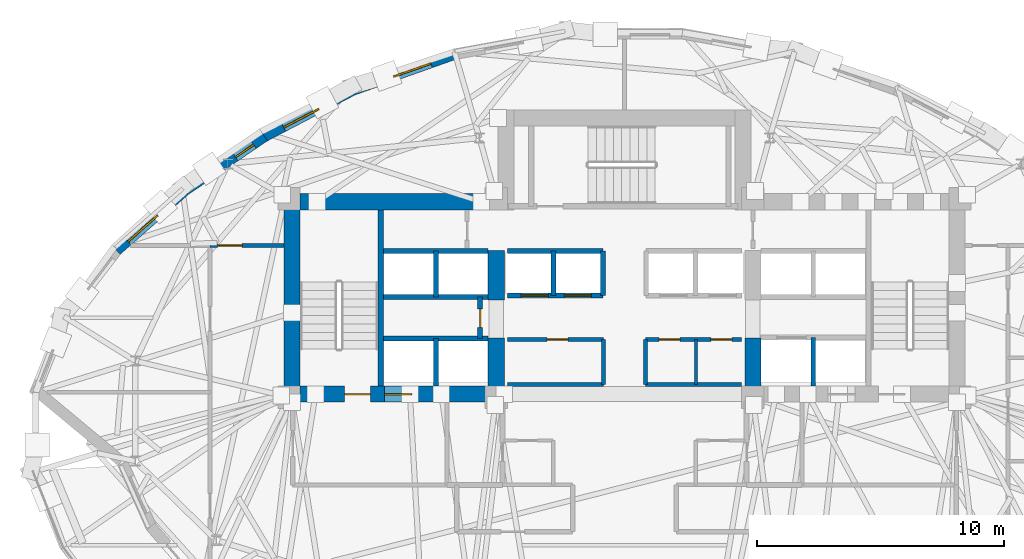
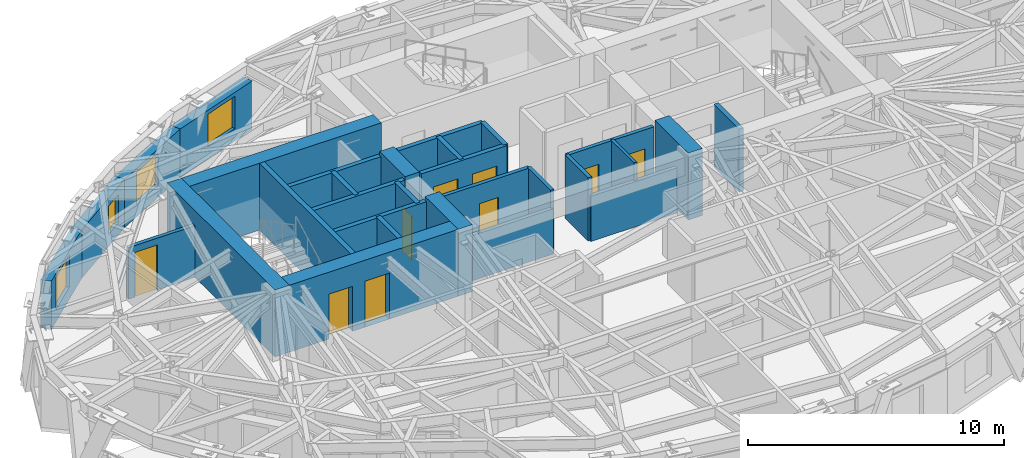
# One storey, part 8 of 15: 30 walls, 9 doors, 4 windows, 13 openings.
"""IFC4 building model written with IfcOpenShell, lengths in metres."""

import ifcopenshell
import ifcopenshell.guid

model = None  # the IFC model being written
_history = None  # IfcOwnerHistory: only IFC2X3 demands one
_inside = {}  # id of a spatial element -> (the spatial element, [elements in it])
_under = {}  # id of a project, library or spatial element -> (it, [spatial elements below it])
_declared = {}  # id of a project -> (the project, [libraries it declares])
_typed = {}  # id of a type object -> (the type object, [elements of that type])
_made_of = {}  # id of a material, layer set ... -> (it, [elements and type objects made of it])


def new_model(schema):
    """Start an empty IFC model of exactly this schema.

    Asked for "IFC4X3", IfcOpenShell would pick the latest addendum, in which some entities
    have other attributes; the version numbers below select the first issue.
    IFC2X3 requires an IfcOwnerHistory on every rooted entity: one is made here for all.
    """
    global model, _history
    if schema == "IFC4X3":
        model = ifcopenshell.file(schema_version=(4, 3, 0, 0))
    else:
        model = ifcopenshell.file(schema=schema)
    _inside.clear()
    _under.clear()
    _declared.clear()
    _typed.clear()
    _made_of.clear()
    _history = None
    if model.schema == "IFC2X3":
        org = make("IfcOrganization", Name="unknown")
        user = make(
            "IfcPersonAndOrganization",
            ThePerson=make("IfcPerson", FamilyName="unknown"),
            TheOrganization=org,
        )
        app = make(
            "IfcApplication",
            ApplicationDeveloper=org,
            Version="unknown",
            ApplicationFullName="unknown",
            ApplicationIdentifier="unknown",
        )
        _history = make(
            "IfcOwnerHistory",
            OwningUser=user,
            OwningApplication=app,
            ChangeAction="ADDED",
            CreationDate=0,
        )
    return model


def make(cls, **values):
    """One entity of the class cls with the attributes given. An attribute that is None is left unset."""
    return model.create_entity(
        cls, **{name: value for name, value in values.items() if value is not None}
    )


def rooted(cls, **values):
    """An entity with a GlobalId (a new one), such as an element, a storey or a relation."""
    return make(cls, GlobalId=ifcopenshell.guid.new(), OwnerHistory=_history, **values)


def si_unit(unit_type, name, prefix=None):
    """IfcSIUnit, for example si_unit("LENGTHUNIT", "METRE", prefix="MILLI")."""
    return make("IfcSIUnit", UnitType=unit_type, Prefix=prefix, Name=name)


def assignment(units):
    """IfcUnitAssignment: the units of a project."""
    return None if units is None else make("IfcUnitAssignment", Units=units)


def point(xyz):
    """IfcCartesianPoint."""
    return None if xyz is None else make("IfcCartesianPoint", Coordinates=xyz)


def direction(xyz):
    """IfcDirection."""
    return None if xyz is None else make("IfcDirection", DirectionRatios=xyz)


def frame(location, z_axis=None, x_axis=None):
    """IfcAxis2Placement3D, a coordinate frame: its origin and axes. An axis left out is left unset."""
    return make(
        "IfcAxis2Placement3D",
        Location=point(location),
        Axis=direction(z_axis),
        RefDirection=direction(x_axis),
    )


def frame_2d(location, x_axis=None):
    """IfcAxis2Placement2D, a coordinate frame in the plane: its origin and x axis."""
    return make(
        "IfcAxis2Placement2D", Location=point(location), RefDirection=direction(x_axis)
    )


def origin():
    """The frame at (0, 0, 0) with its axes left unset."""
    return frame((0.0, 0.0, 0.0))


def place(relative_to, where):
    """IfcLocalPlacement: puts the frame where relative to a parent placement (None: the world)."""
    return make(
        "IfcLocalPlacement", PlacementRelTo=relative_to, RelativePlacement=where
    )


def context(
    kind, dimensions, precision=None, world=None, true_north=None, identifier=None
):
    """IfcGeometricRepresentationContext, for example the 3D "Model" context."""
    return make(
        "IfcGeometricRepresentationContext",
        ContextIdentifier=identifier,
        ContextType=kind,
        CoordinateSpaceDimension=dimensions,
        Precision=precision,
        WorldCoordinateSystem=world,
        TrueNorth=true_north,
    )


def subcontext(parent, identifier, kind, view, scale=None):
    """IfcGeometricRepresentationSubContext, for example "Body" below "Model"."""
    return make(
        "IfcGeometricRepresentationSubContext",
        ContextIdentifier=identifier,
        ContextType=kind,
        ParentContext=parent,
        TargetScale=scale,
        TargetView=view,
    )


def project(units=None, contexts=None):
    """IfcProject with its units and contexts."""
    return rooted(
        "IfcProject",
        Name="project",
        RepresentationContexts=contexts,
        UnitsInContext=assignment(units),
    )


def spatial(cls, under=None, at=None, **own):
    """A site, building, storey or space (cls), placed at a placement, below another one or the project."""
    s = rooted(cls, ObjectPlacement=at, **own)
    if under is not None:
        _under.setdefault(under.id(), (under, []))[1].append(s)
    return s


def profile(cls, at=None, kind="AREA", **sizes):
    """A parametric profile (cls). Its sizes go by their IFC names, for example OverallWidth=200.0."""
    return make(cls, ProfileType=kind, Position=at, **sizes)


def rectangle(**sizes):
    """IfcRectangleProfileDef."""
    return profile("IfcRectangleProfileDef", **sizes)


def extrude(swept, where, along, depth):
    """IfcExtrudedAreaSolid: the profile swept, set in the frame where, extruded along a direction by depth."""
    return make(
        "IfcExtrudedAreaSolid",
        SweptArea=swept,
        Position=where,
        ExtrudedDirection=direction(along),
        Depth=depth,
    )


def shape(context_of_items, identifier, shape_type, items):
    """IfcShapeRepresentation: the items that make up one representation, for example the "Body"."""
    return make(
        "IfcShapeRepresentation",
        ContextOfItems=context_of_items,
        RepresentationIdentifier=identifier,
        RepresentationType=shape_type,
        Items=items,
    )


def material(Name=None, Category=None):
    """IfcMaterial."""
    return make("IfcMaterial", Name=Name, Category=Category)


def layer(
    of_material, thickness, ventilated=None, Name=None, Category=None, Priority=None
):
    """IfcMaterialLayer: one layer of a wall or slab, of a material (None: an air gap)."""
    return make(
        "IfcMaterialLayer",
        Material=of_material,
        LayerThickness=thickness,
        IsVentilated=ventilated,
        Name=Name,
        Category=Category,
        Priority=Priority,
    )


def layer_set(layers, Name=None):
    """IfcMaterialLayerSet."""
    return make("IfcMaterialLayerSet", MaterialLayers=layers, LayerSetName=Name)


def made_of(thing, what):
    """Note that an element or type object is made of a material, layer set ...; save() writes the relation."""
    if what is not None:
        _made_of.setdefault(what.id(), (what, []))[1].append(thing)
    return thing


def type_object(cls, material=None, **own):
    """A type object (cls), such as IfcWallType, which elements share."""
    return made_of(rooted(cls, **own), material)


def element(
    cls,
    number,
    at=None,
    inside=None,
    cuts=None,
    type_object=None,
    material=None,
    context=None,
    identifier="Body",
    shape_type=None,
    held_by="IfcProductDefinitionShape",
    body=None,
    shapes=None,
    **own,
):
    """One element of the class cls, such as IfcWall. Its Tag is "e" and its number.

    at: its placement. inside: the storey or other place that contains it. cuts: it is an
    opening in that element (IfcRelVoidsElement). A single representation is given by context,
    identifier, shape_type and body (its items); several are given by shapes. held_by: the class
    of the entity that holds the representations. save() writes the other relations.
    """
    e = rooted(cls, Tag="e%d" % number, ObjectPlacement=at, **own)
    if body is not None:
        shapes = [shape(context, identifier, shape_type, body)]
    if shapes is not None:
        e.Representation = make(held_by, Representations=shapes)
    if inside is not None:
        _inside.setdefault(inside.id(), (inside, []))[1].append(e)
    if cuts is not None:
        rooted(
            "IfcRelVoidsElement", RelatingBuildingElement=cuts, RelatedOpeningElement=e
        )
    if type_object is not None:
        _typed.setdefault(type_object.id(), (type_object, []))[1].append(e)
    return made_of(e, material)


def fill(opening, filler):
    """IfcRelFillsElement: the door or window that sits in an opening."""
    return rooted(
        "IfcRelFillsElement",
        RelatingOpeningElement=opening,
        RelatedBuildingElement=filler,
    )


def aggregate(whole, parts):
    """IfcRelAggregates: a whole, such as a stair, and the parts it consists of."""
    return rooted("IfcRelAggregates", RelatingObject=whole, RelatedObjects=parts)


def save(model, path):
    """Write the relations noted so far, then the file.

    IfcRelAggregates (storeys below a building ...), IfcRelContainedInSpatialStructure (elements
    in a storey), IfcRelDefinesByType, IfcRelAssociatesMaterial and IfcRelDeclares: one each for
    every whole, place, type object, material and project.
    """
    for whole, parts in _under.values():
        aggregate(whole, parts)
    for where, things in _inside.values():
        rooted(
            "IfcRelContainedInSpatialStructure",
            RelatedElements=things,
            RelatingStructure=where,
        )
    for kind, things in _typed.values():
        rooted("IfcRelDefinesByType", RelatedObjects=things, RelatingType=kind)
    for what, things in _made_of.values():
        rooted("IfcRelAssociatesMaterial", RelatedObjects=things, RelatingMaterial=what)
    for by, libraries in _declared.values():
        rooted("IfcRelDeclares", RelatingContext=by, RelatedDefinitions=libraries)
    model.write(path)


model = new_model("IFC4")

# Units and contexts
model_context = context("Model", 3, precision=1e-05, world=origin(), true_north=direction((0.0, 1.0)))
body_context = subcontext(model_context, "Body", "Model", "MODEL_VIEW")
ifc_project = project(units=[si_unit("LENGTHUNIT", "METRE"), si_unit("AREAUNIT", "SQUARE_METRE"), si_unit("VOLUMEUNIT", "CUBIC_METRE"), si_unit("PLANEANGLEUNIT", "RADIAN"), si_unit("MASSUNIT", "GRAM", prefix="KILO")], contexts=[model_context])

# Site, building, storey
site_placement = place(None, origin())
site = spatial("IfcSite", under=ifc_project, at=site_placement, CompositionType="ELEMENT")
building_placement = place(site_placement, origin())
building = spatial("IfcBuilding", under=site, at=building_placement, Name="Keldmark Tower", CompositionType="ELEMENT")
storey_placement = place(building_placement, frame((0.0, 0.0, 195.0)))
storey = spatial("IfcBuildingStorey", under=building, at=storey_placement, Name="L54", CompositionType="ELEMENT", Elevation=195.0)

# Walls
ifc_material_1 = material(Name="Acoustic Gypsum Board Interior Partition", Category="gypsum")
ifc_layer_1 = layer(ifc_material_1, 0.1298828125)
ifc_layer_set_1 = layer_set([ifc_layer_1], Name="Acoustic Gypsum Board Interior Partition")
wall_type_1 = type_object("IfcWallType", Name="Interior Partition 130 mm", PredefinedType="PARTITIONING", material=ifc_layer_set_1)
wall_1_placement = place(storey_placement, frame((2.89990234375, 1.919921875, 0.0), z_axis=(0.0, 0.0, 1.0), x_axis=(0.0, 1.0, 0.0)))
element("IfcWall", 1, at=wall_1_placement, inside=storey, type_object=wall_type_1, Name="L54 Interior Partition 130 mm REC-LE-M", PredefinedType="PARTITIONING", context=body_context, shape_type="SweptSolid", body=[
    extrude(rectangle(XDim=1.820068359375, YDim=0.1298828125, at=frame_2d((0.91015625, 0.0))), origin(), (0.0, 0.0, 1.0), 3.02001953125),
])
ifc_material_2 = material(Name="Type X Fire-Rated Gypsum Partition Assembly", Category="gypsum")
ifc_layer_2 = layer(ifc_material_2, 0.1650390625)
ifc_layer_set_2 = layer_set([ifc_layer_2], Name="Type X Fire-Rated Gypsum Partition Assembly")
wall_type_2 = type_object("IfcWallType", Name="Rated Partition 165 mm", PredefinedType="PARTITIONING", material=ifc_layer_set_2)
wall_2_placement = place(storey_placement, frame((-4.739990234375, 1.919921875, 0.0), z_axis=(0.0, 0.0, 1.0), x_axis=(1.0, 0.0, 0.0)))
element("IfcWall", 2, at=wall_2_placement, inside=storey, type_object=wall_type_2, Name="L54 Rated Partition 165 mm REC-LW-S", PredefinedType="PARTITIONING", context=body_context, shape_type="SweptSolid", body=[
    extrude(rectangle(XDim=3.889892578125, YDim=0.1650390625, at=frame_2d((1.94482421875, 0.0))), origin(), (0.0, 0.0, 1.0), 2.159912109375),
])

# Wall, opening, door
wall_3_placement = place(storey_placement, frame((-4.739990234375, 3.739990234375, 0.0), z_axis=(0.0, 0.0, 1.0), x_axis=(1.0, 0.0, 0.0)))
wall_3 = element("IfcWall", 3, at=wall_3_placement, inside=storey, type_object=wall_type_2, Name="L54 Rated Partition 165 mm REC-LW-N", PredefinedType="PARTITIONING", context=body_context, shape_type="SweptSolid", body=[
    extrude(rectangle(XDim=3.889892578125, YDim=0.1650390625, at=frame_2d((1.94482421875, 0.0))), origin(), (0.0, 0.0, 1.0), 3.02001953125),
])
opening_1_placement = place(wall_3_placement, frame((1.60009765625, 0.0, 0.0)))
opening_1 = element("IfcOpeningElement", 4, at=opening_1_placement, cuts=wall_3, Name="Opening D-SV085", PredefinedType="OPENING", context=body_context, shape_type="SweptSolid", body=[
    extrude(rectangle(XDim=0.85009765625, YDim=2.10009765625, at=frame_2d((0.425048828125, 1.050048828125))), frame((0.0, 0.092529296875, 0.0), z_axis=(0.0, -1.0, 0.0), x_axis=(1.0, 0.0, 0.0)), (0.0, 0.0, 1.0), 0.18505859375),
])
ifc_material_3 = material(Name="Painted Hollow Metal Door Assembly", Category="metal")
door_type_1 = type_object("IfcDoorType", Name="Service Door 850x2100", OperationType="NOTDEFINED", PredefinedType="DOOR", material=ifc_material_3)
door_1_placement = place(opening_1_placement, origin())
door_1 = element("IfcDoor", 5, at=door_1_placement, inside=storey, type_object=door_type_1, Name="L54 Service Door 850x2100 D-RECLW1-L54", OperationType="SINGLE_SWING_LEFT", OverallHeight=2.10009765625, OverallWidth=0.85009765625, PredefinedType="DOOR", context=body_context, shape_type="SweptSolid", body=[
    extrude(rectangle(XDim=0.85009765625, YDim=2.10009765625, at=frame_2d((0.425048828125, 1.050048828125))), frame((0.0, 0.02490234375, 0.0), z_axis=(0.0, -1.0, 0.0), x_axis=(1.0, 0.0, 0.0)), (0.0, 0.0, 1.0), 0.050048828125),
])
fill(opening_1, door_1)

# Walls
wall_4_placement = place(storey_placement, frame((-0.85009765625, 1.919921875, 0.0), z_axis=(0.0, 0.0, 1.0), x_axis=(0.0, 1.0, 0.0)))
element("IfcWall", 6, at=wall_4_placement, inside=storey, type_object=wall_type_2, Name="L54 Rated Partition 165 mm REC-LW-E", PredefinedType="PARTITIONING", context=body_context, shape_type="SweptSolid", body=[
    extrude(rectangle(XDim=1.820068359375, YDim=0.1650390625, at=frame_2d((0.91015625, 0.0))), origin(), (0.0, 0.0, 1.0), 3.02001953125),
])
wall_5_placement = place(storey_placement, frame((0.85009765625, 1.919921875, 0.0), z_axis=(0.0, 0.0, 1.0), x_axis=(1.0, 0.0, 0.0)))
element("IfcWall", 7, at=wall_5_placement, inside=storey, type_object=wall_type_2, Name="L54 Rated Partition 165 mm REC-LE-S", PredefinedType="PARTITIONING", context=body_context, shape_type="SweptSolid", body=[
    extrude(rectangle(XDim=3.889892578125, YDim=0.1650390625, at=frame_2d((1.94482421875, 0.0))), origin(), (0.0, 0.0, 1.0), 2.159912109375),
])

# Wall, openings, doors
wall_6_placement = place(storey_placement, frame((0.85009765625, 3.739990234375, 0.0), z_axis=(0.0, 0.0, 1.0), x_axis=(1.0, 0.0, 0.0)))
wall_6 = element("IfcWall", 8, at=wall_6_placement, inside=storey, type_object=wall_type_2, Name="L54 Rated Partition 165 mm REC-LE-N", PredefinedType="PARTITIONING", context=body_context, shape_type="SweptSolid", body=[
    extrude(rectangle(XDim=3.889892578125, YDim=0.1650390625, at=frame_2d((1.94482421875, 0.0))), origin(), (0.0, 0.0, 1.0), 3.02001953125),
])
opening_2_placement = place(wall_6_placement, frame((0.550048828125, 0.0, 0.0)))
opening_2 = element("IfcOpeningElement", 9, at=opening_2_placement, cuts=wall_6, Name="Opening D-SV085", PredefinedType="OPENING", context=body_context, shape_type="SweptSolid", body=[
    extrude(rectangle(XDim=0.85009765625, YDim=2.10009765625, at=frame_2d((0.425048828125, 1.050048828125))), frame((0.0, 0.092529296875, 0.0), z_axis=(0.0, -1.0, 0.0), x_axis=(1.0, 0.0, 0.0)), (0.0, 0.0, 1.0), 0.18505859375),
])
opening_3_placement = place(wall_6_placement, frame((2.64990234375, 0.0, 0.0)))
opening_3 = element("IfcOpeningElement", 10, at=opening_3_placement, cuts=wall_6, Name="Opening D-SV085", PredefinedType="OPENING", context=body_context, shape_type="SweptSolid", body=[
    extrude(rectangle(XDim=0.85009765625, YDim=2.10009765625, at=frame_2d((0.425048828125, 1.050048828125))), frame((0.0, 0.092529296875, 0.0), z_axis=(0.0, -1.0, 0.0), x_axis=(1.0, 0.0, 0.0)), (0.0, 0.0, 1.0), 0.18505859375),
])
door_2_placement = place(opening_2_placement, origin())
door_2 = element("IfcDoor", 11, at=door_2_placement, inside=storey, type_object=door_type_1, Name="L54 Service Door 850x2100 D-RECLE1-L54", OperationType="SINGLE_SWING_LEFT", OverallHeight=2.10009765625, OverallWidth=0.85009765625, PredefinedType="DOOR", context=body_context, shape_type="SweptSolid", body=[
    extrude(rectangle(XDim=0.85009765625, YDim=2.10009765625, at=frame_2d((0.425048828125, 1.050048828125))), frame((0.0, 0.02490234375, 0.0), z_axis=(0.0, -1.0, 0.0), x_axis=(1.0, 0.0, 0.0)), (0.0, 0.0, 1.0), 0.050048828125),
])
fill(opening_2, door_2)
door_3_placement = place(opening_3_placement, origin())
door_3 = element("IfcDoor", 12, at=door_3_placement, inside=storey, type_object=door_type_1, Name="L54 Service Door 850x2100 D-RECLE2-L54", OperationType="SINGLE_SWING_RIGHT", OverallHeight=2.10009765625, OverallWidth=0.85009765625, PredefinedType="DOOR", context=body_context, shape_type="SweptSolid", body=[
    extrude(rectangle(XDim=0.85009765625, YDim=2.10009765625, at=frame_2d((0.425048828125, 1.050048828125))), frame((0.0, 0.02490234375, 0.0), z_axis=(0.0, -1.0, 0.0), x_axis=(1.0, 0.0, 0.0)), (0.0, 0.0, 1.0), 0.050048828125),
])
fill(opening_3, door_3)

# Wall
wall_7_placement = place(storey_placement, frame((0.85009765625, 1.919921875, 0.0), z_axis=(0.0, 0.0, 1.0), x_axis=(0.0, 1.0, 0.0)))
element("IfcWall", 13, at=wall_7_placement, inside=storey, type_object=wall_type_2, Name="L54 Rated Partition 165 mm REC-LE-W", PredefinedType="PARTITIONING", context=body_context, shape_type="SweptSolid", body=[
    extrude(rectangle(XDim=1.820068359375, YDim=0.1650390625, at=frame_2d((0.91015625, 0.0))), origin(), (0.0, 0.0, 1.0), 3.02001953125),
])

# Wall, opening, door
wall_8_placement = place(storey_placement, frame((-16.800048828125, 7.550048828125, 0.0), z_axis=(0.0, 0.0, 1.0), x_axis=(1.0, 0.0, 0.0)))
wall_8 = element("IfcWall", 14, at=wall_8_placement, inside=storey, type_object=wall_type_2, Name="L54 Rated Partition 165 mm HCOR-WN", PredefinedType="PARTITIONING", context=body_context, shape_type="SweptSolid", body=[
    extrude(rectangle(XDim=3.0, YDim=0.1650390625, at=frame_2d((1.5, 0.0))), origin(), (0.0, 0.0, 1.0), 2.472900390625),
])
opening_4_placement = place(wall_8_placement, frame((0.300048828125, 0.0, 0.0)))
opening_4 = element("IfcOpeningElement", 15, at=opening_4_placement, cuts=wall_8, Name="Opening D-FD100", PredefinedType="OPENING", context=body_context, shape_type="SweptSolid", body=[
    extrude(rectangle(XDim=1.0, YDim=2.14990234375, at=frame_2d((0.5, 1.074951171875))), frame((0.0, 0.092529296875, 0.0), z_axis=(0.0, -1.0, 0.0), x_axis=(1.0, 0.0, 0.0)), (0.0, 0.0, 1.0), 0.18505859375),
])
ifc_material_4 = material(Name="Hollow Metal Fire-Rated Corridor Door", Category="metal")
door_type_2 = type_object("IfcDoorType", Name="Fire Door 1000x2150", OperationType="NOTDEFINED", PredefinedType="DOOR", material=ifc_material_4)
door_4_placement = place(opening_4_placement, origin())
door_4 = element("IfcDoor", 16, at=door_4_placement, inside=storey, type_object=door_type_2, Name="L54 Fire Door 1000x2150 D-HNNW-L54", OperationType="SINGLE_SWING_LEFT", OverallHeight=2.14990234375, OverallWidth=1.0, PredefinedType="DOOR", context=body_context, shape_type="SweptSolid", body=[
    extrude(rectangle(XDim=1.0, YDim=2.14990234375, at=frame_2d((0.5, 1.074951171875))), frame((0.0, 0.02490234375, 0.0), z_axis=(0.0, -1.0, 0.0), x_axis=(1.0, 0.0, 0.0)), (0.0, 0.0, 1.0), 0.050048828125),
])
fill(opening_4, door_4)

# Walls
ifc_material_5 = material(Name="Fire-Resistant Type X Gypsum Shaftliner Coreboard", Category="gypsum")
ifc_layer_3 = layer(ifc_material_5, 0.199951171875)
ifc_layer_set_3 = layer_set([ifc_layer_3], Name="Fire-Resistant Type X Gypsum Shaftliner Coreboard")
wall_type_3 = type_object("IfcWallType", Name="Shaft Wall 200 mm", PredefinedType="SOLIDWALL", material=ifc_layer_set_3)
wall_9_placement = place(storey_placement, frame((-9.780029296875, 3.780029296875, 0.0), z_axis=(0.0, 0.0, 1.0), x_axis=(1.0, 0.0, 0.0)))
element("IfcWall", 17, at=wall_9_placement, inside=storey, type_object=wall_type_3, Name="L54 Shaft Wall 200 mm HW-W-S", PredefinedType="SOLIDWALL", context=body_context, shape_type="SweptSolid", body=[
    extrude(rectangle(XDim=4.255126953125, YDim=0.199951171875, at=frame_2d((2.12744140625, 0.0))), origin(), (0.0, 0.0, 1.0), 3.02001953125),
])
wall_10_placement = place(storey_placement, frame((-7.64990234375, 1.85009765625, 0.0), z_axis=(0.0, 0.0, 1.0), x_axis=(0.0, 1.0, 0.0)))
element("IfcWall", 18, at=wall_10_placement, inside=storey, type_object=wall_type_3, Name="L54 Shaft Wall 200 mm HW-W-M", PredefinedType="SOLIDWALL", context=body_context, shape_type="SweptSolid", body=[
    extrude(rectangle(XDim=1.929931640625, YDim=0.199951171875, at=frame_2d((0.96484375, 0.0))), origin(), (0.0, 0.0, 1.0), 3.02001953125),
])
for number, where, z_axis, x_axis, name in (
    (19, (-9.780029296875, 5.469970703125, 0.0), (0.0, 0.0, 1.0), (1.0, 0.0, 0.0), "L54 Shaft Wall 200 mm HW-W-N"),
    (20, (-9.780029296875, 7.330078125, 0.0), (0.0, 0.0, 1.0), (1.0, 0.0, 0.0), "L54 Shaft Wall 200 mm HW-W-TOP"),
):
    element("IfcWall", number, at=place(storey_placement, frame(where, z_axis=z_axis, x_axis=x_axis)), inside=storey, type_object=wall_type_3, Name=name, PredefinedType="SOLIDWALL", context=body_context, shape_type="SweptSolid", body=[
        extrude(rectangle(XDim=4.255126953125, YDim=0.199951171875, at=frame_2d((2.12744140625, 0.0))), origin(), (0.0, 0.0, 1.0), 3.02001953125),
    ])
wall_11_placement = place(storey_placement, frame((-7.64990234375, 5.469970703125, 0.0), z_axis=(0.0, 0.0, 1.0), x_axis=(0.0, 1.0, 0.0)))
element("IfcWall", 21, at=wall_11_placement, inside=storey, type_object=wall_type_3, Name="L54 Shaft Wall 200 mm HW-W-NM", PredefinedType="SOLIDWALL", context=body_context, shape_type="SweptSolid", body=[
    extrude(rectangle(XDim=1.860107421875, YDim=0.199951171875, at=frame_2d((0.93017578125, 0.0))), origin(), (0.0, 0.0, 1.0), 3.02001953125),
])

# Wall, opening, door
wall_12_placement = place(storey_placement, frame((-5.85009765625, 3.780029296875, 0.0), z_axis=(0.0, 0.0, 1.0), x_axis=(0.0, 1.0, 0.0)))
wall_12 = element("IfcWall", 22, at=wall_12_placement, inside=storey, type_object=wall_type_3, Name="L54 Shaft Wall 200 mm HW-W-CLOSE", PredefinedType="SOLIDWALL", context=body_context, shape_type="SweptSolid", body=[
    extrude(rectangle(XDim=1.68994140625, YDim=0.199951171875, at=frame_2d((0.844970703125, 0.0))), origin(), (0.0, 0.0, 1.0), 3.02001953125),
])
opening_5_placement = place(wall_12_placement, frame((0.449951171875, 0.0, 0.0)))
opening_5 = element("IfcOpeningElement", 23, at=opening_5_placement, cuts=wall_12, Name="Opening D-RS075", PredefinedType="OPENING", context=body_context, shape_type="SweptSolid", body=[
    extrude(rectangle(XDim=0.75, YDim=2.10009765625, at=frame_2d((0.375, 1.050048828125))), frame((0.0, 0.10986328125, 0.0), z_axis=(0.0, -1.0, 0.0), x_axis=(1.0, 0.0, 0.0)), (0.0, 0.0, 1.0), 0.219970703125),
])
ifc_material_6 = material(Name="Galvanized Fire-Rated Access Leaf", Category="metal")
door_type_3 = type_object("IfcDoorType", Name="Riser Access Door 750x2100", OperationType="NOTDEFINED", PredefinedType="DOOR", material=ifc_material_6)
door_5_placement = place(opening_5_placement, origin())
door_5 = element("IfcDoor", 24, at=door_5_placement, inside=storey, type_object=door_type_3, Name="L54 Riser Access Door 750x2100 D-RISHW-L54", OperationType="SINGLE_SWING_RIGHT", OverallHeight=2.10009765625, OverallWidth=0.75, PredefinedType="DOOR", context=body_context, shape_type="SweptSolid", body=[
    extrude(rectangle(XDim=0.75, YDim=2.10009765625, at=frame_2d((0.375, 1.050048828125))), frame((0.0, 0.02490234375, 0.0), z_axis=(0.0, -1.0, 0.0), x_axis=(1.0, 0.0, 0.0)), (0.0, 0.0, 1.0), 0.050048828125),
])
fill(opening_5, door_5)

# Wall
wall_13_placement = place(storey_placement, frame((7.64990234375, 1.85009765625, 0.0), z_axis=(0.0, 0.0, 1.0), x_axis=(0.0, 1.0, 0.0)))
element("IfcWall", 25, at=wall_13_placement, inside=storey, type_object=wall_type_3, Name="L54 Shaft Wall 200 mm HW-E-M", PredefinedType="SOLIDWALL", context=body_context, shape_type="SweptSolid", body=[
    extrude(rectangle(XDim=1.969970703125, YDim=0.199951171875, at=frame_2d((0.98486328125, 0.0))), origin(), (0.0, 0.0, 1.0), 3.02001953125),
])

# Wall, openings, doors
wall_14_placement = place(storey_placement, frame((-4.739990234375, 5.52001953125, 0.0), z_axis=(0.0, 0.0, 1.0), x_axis=(1.0, 0.0, 0.0)))
wall_14 = element("IfcWall", 26, at=wall_14_placement, inside=storey, type_object=wall_type_3, Name="L54 Shaft Wall 200 mm MID-S-W", PredefinedType="SOLIDWALL", context=body_context, shape_type="SweptSolid", body=[
    extrude(rectangle(XDim=3.860107421875, YDim=0.199951171875, at=frame_2d((1.93017578125, 0.0))), origin(), (0.0, 0.0, 1.0), 3.02001953125),
])
opening_6_placement = place(wall_14_placement, frame((0.550048828125, 0.0, 0.0)))
opening_6 = element("IfcOpeningElement", 27, at=opening_6_placement, cuts=wall_14, Name="Opening LD-110", PredefinedType="OPENING", context=body_context, shape_type="SweptSolid", body=[
    extrude(rectangle(XDim=1.10009765625, YDim=2.199951171875, at=frame_2d((0.550048828125, 1.10009765625))), frame((0.0, 0.10986328125, 0.0), z_axis=(0.0, -1.0, 0.0), x_axis=(1.0, 0.0, 0.0)), (0.0, 0.0, 1.0), 0.219970703125),
])
opening_7_placement = place(wall_14_placement, frame((2.300048828125, 0.0, 0.0)))
opening_7 = element("IfcOpeningElement", 28, at=opening_7_placement, cuts=wall_14, Name="Opening LD-110", PredefinedType="OPENING", context=body_context, shape_type="SweptSolid", body=[
    extrude(rectangle(XDim=1.10009765625, YDim=2.199951171875, at=frame_2d((0.550048828125, 1.10009765625))), frame((0.0, 0.10986328125, 0.0), z_axis=(0.0, -1.0, 0.0), x_axis=(1.0, 0.0, 0.0)), (0.0, 0.0, 1.0), 0.219970703125),
])
ifc_material_7 = material(Name="Brushed Bronze Hoistway Sliding Leaf", Category="metal")
door_type_4 = type_object("IfcDoorType", Name="Lift Landing Sliding Door 1100x2200", OperationType="SLIDING_TO_LEFT", PredefinedType="DOOR", material=ifc_material_7)
door_6_placement = place(opening_6_placement, origin())
door_6 = element("IfcDoor", 29, at=door_6_placement, inside=storey, type_object=door_type_4, Name="L54 Lift Landing Sliding Door 1100x2200 LD-EL-M1-L54", OperationType="SLIDING_TO_LEFT", OverallHeight=2.199951171875, OverallWidth=1.10009765625, PredefinedType="DOOR", context=body_context, shape_type="SweptSolid", body=[
    extrude(rectangle(XDim=1.10009765625, YDim=2.199951171875, at=frame_2d((0.550048828125, 1.10009765625))), frame((0.0, 0.02490234375, 0.0), z_axis=(0.0, -1.0, 0.0), x_axis=(1.0, 0.0, 0.0)), (0.0, 0.0, 1.0), 0.050048828125),
])
fill(opening_6, door_6)
door_7_placement = place(opening_7_placement, origin())
door_7 = element("IfcDoor", 30, at=door_7_placement, inside=storey, type_object=door_type_4, Name="L54 Lift Landing Sliding Door 1100x2200 LD-EL-M2-L54", OperationType="SLIDING_TO_LEFT", OverallHeight=2.199951171875, OverallWidth=1.10009765625, PredefinedType="DOOR", context=body_context, shape_type="SweptSolid", body=[
    extrude(rectangle(XDim=1.10009765625, YDim=2.199951171875, at=frame_2d((0.550048828125, 1.10009765625))), frame((0.0, 0.02490234375, 0.0), z_axis=(0.0, -1.0, 0.0), x_axis=(1.0, 0.0, 0.0)), (0.0, 0.0, 1.0), 0.050048828125),
])
fill(opening_7, door_7)

# Walls
wall_15_placement = place(storey_placement, frame((-4.739990234375, 7.330078125, 0.0), z_axis=(0.0, 0.0, 1.0), x_axis=(1.0, 0.0, 0.0)))
element("IfcWall", 31, at=wall_15_placement, inside=storey, type_object=wall_type_3, Name="L54 Shaft Wall 200 mm MID-N-W", PredefinedType="SOLIDWALL", context=body_context, shape_type="SweptSolid", body=[
    extrude(rectangle(XDim=3.860107421875, YDim=0.199951171875, at=frame_2d((1.93017578125, 0.0))), origin(), (0.0, 0.0, 1.0), 3.02001953125),
])
for number, where, z_axis, x_axis, name in (
    (32, (-2.8798828125, 5.52001953125, 0.0), (0.0, 0.0, 1.0), (0.0, 1.0, 0.0), "L54 Shaft Wall 200 mm MID-M-W"),
    (33, (-0.8798828125, 5.52001953125, 0.0), (0.0, 0.0, 1.0), (0.0, 1.0, 0.0), "L54 Shaft Wall 200 mm MID-C-W"),
):
    element("IfcWall", number, at=place(storey_placement, frame(where, z_axis=z_axis, x_axis=x_axis)), inside=storey, type_object=wall_type_3, Name=name, PredefinedType="SOLIDWALL", context=body_context, shape_type="SweptSolid", body=[
        extrude(rectangle(XDim=1.81005859375, YDim=0.199951171875, at=frame_2d((0.905029296875, 0.0))), origin(), (0.0, 0.0, 1.0), 3.02001953125),
    ])
ifc_material_8 = material(Name="Concrete C50/60", Category="concrete")
ifc_layer_4 = layer(ifc_material_8, 0.219970703125)
ifc_layer_set_4 = layer_set([ifc_layer_4], Name="Concrete C50/60")
wall_type_4 = type_object("IfcWallType", Name="Stair Core Shear Wall 220 mm", PredefinedType="SHEAR", material=ifc_layer_set_4)
wall_16_placement = place(storey_placement, frame((-9.889892578125, 1.85009765625, 0.0), z_axis=(0.0, 0.0, 1.0), x_axis=(0.0, 1.0, 0.0)))
element("IfcWall", 34, at=wall_16_placement, inside=storey, type_object=wall_type_4, Name="L54 West Stair Core Shear Wall", PredefinedType="SHEAR", context=body_context, shape_type="SweptSolid", body=[
    extrude(rectangle(XDim=7.14990234375, YDim=0.219970703125, at=frame_2d((3.574951171875, 0.0))), origin(), (0.0, 0.0, 1.0), 3.199951171875),
])

# Wall, opening, window
ifc_material_9 = material(Name="Ironspot Manganese Brick and Kasota Buff Limestone Spandrel Assembly", Category="masonry")
ifc_layer_5 = layer(ifc_material_9, 0.43994140625)
ifc_layer_set_5 = layer_set([ifc_layer_5], Name="Ironspot Manganese Brick and Kasota Buff Limestone Spandrel Assembly")
wall_type_5 = type_object("IfcWallType", Name="Tower Brick Pier and Spandrel Wall 440 mm", PredefinedType="STANDARD", material=ifc_layer_set_5)
wall_17_placement = place(storey_placement, frame((-11.01416015625, 13.855224609375, 0.0), z_axis=(0.0, 0.0, 1.0), x_axis=(0.943100102185, 0.332508943125, 0.0)))
wall_17 = element("IfcWall", 35, at=wall_17_placement, inside=storey, type_object=wall_type_5, Name="L54 Exterior Brick and Spandrel Wall 10", PredefinedType="STANDARD", context=body_context, shape_type="SweptSolid", body=[
    extrude(rectangle(XDim=4.391357421875, YDim=0.43994140625, at=frame_2d((2.19580078125, 0.0))), origin(), (0.0, 0.0, 1.0), 2.31494140625),
])
opening_8_placement = place(wall_17_placement, frame((1.744384765625, 0.0, 0.580078125)))
opening_8 = element("IfcOpeningElement", 36, at=opening_8_placement, cuts=wall_17, Name="Opening W-04", PredefinedType="OPENING", context=body_context, shape_type="SweptSolid", body=[
    extrude(rectangle(XDim=1.60009765625, YDim=1.550048828125, at=frame_2d((0.800048828125, 0.77490234375))), frame((0.0, 0.22998046875, 0.0), z_axis=(0.0, -1.0, 0.0), x_axis=(1.0, 0.0, 0.0)), (0.0, 0.0, 1.0), 0.4599609375),
])
ifc_material_10 = material(Name="Thermally Broken Anodized Aluminum and Triple Low-E Argon Glazing", Category="aluminium")
window_type_1 = type_object("IfcWindowType", Name="Hotel Deep-Set Operable Window 1600x1550", PartitioningType="DOUBLE_PANEL_HORIZONTAL", PredefinedType="WINDOW", material=ifc_material_10)
window_1_placement = place(opening_8_placement, origin())
window_1 = element("IfcWindow", 37, at=window_1_placement, inside=storey, type_object=window_type_1, Name="L54 Deep-Set Window 10", OverallHeight=1.550048828125, OverallWidth=1.60009765625, PartitioningType="SINGLE_PANEL", PredefinedType="WINDOW", context=body_context, shape_type="SweptSolid", body=[
    extrude(rectangle(XDim=1.60009765625, YDim=1.550048828125, at=frame_2d((0.800048828125, 0.77490234375))), frame((0.0, -0.010009765625, 0.0), z_axis=(0.0, -1.0, 0.0), x_axis=(1.0, 0.0, 0.0)), (0.0, 0.0, 1.0), 0.06005859375),
])
fill(opening_8, window_1)

wall_18_placement = place(storey_placement, frame((-14.61669921875, 11.964111328125, 0.0), z_axis=(0.0, 0.0, 1.0), x_axis=(0.885676487837, 0.464302874094, 0.0)))
wall_18 = element("IfcWall", 38, at=wall_18_placement, inside=storey, type_object=wall_type_5, Name="L54 Exterior Brick and Spandrel Wall 11", PredefinedType="STANDARD", context=body_context, shape_type="SweptSolid", body=[
    extrude(rectangle(XDim=4.100341796875, YDim=0.43994140625, at=frame_2d((2.05029296875, 0.0))), origin(), (0.0, 0.0, 1.0), 2.31494140625),
])
opening_9_placement = place(wall_18_placement, frame((0.8837890625, 0.0, 0.580078125)))
opening_9 = element("IfcOpeningElement", 39, at=opening_9_placement, cuts=wall_18, Name="Opening W-04", PredefinedType="OPENING", context=body_context, shape_type="SweptSolid", body=[
    extrude(rectangle(XDim=1.60009765625, YDim=1.550048828125, at=frame_2d((0.800048828125, 0.77490234375))), frame((0.0, 0.22998046875, 0.0), z_axis=(0.0, -1.0, 0.0), x_axis=(1.0, 0.0, 0.0)), (0.0, 0.0, 1.0), 0.4599609375),
])
window_2_placement = place(opening_9_placement, origin())
window_2 = element("IfcWindow", 40, at=window_2_placement, inside=storey, type_object=window_type_1, Name="L54 Deep-Set Window 11", OverallHeight=1.550048828125, OverallWidth=1.60009765625, PartitioningType="SINGLE_PANEL", PredefinedType="WINDOW", context=body_context, shape_type="SweptSolid", body=[
    extrude(rectangle(XDim=1.60009765625, YDim=1.550048828125, at=frame_2d((0.800048828125, 0.77490234375))), frame((0.0, -0.010009765625, 0.0), z_axis=(0.0, -1.0, 0.0), x_axis=(1.0, 0.0, 0.0)), (0.0, 0.0, 1.0), 0.06005859375),
])
fill(opening_9, window_2)

wall_19_placement = place(storey_placement, frame((-17.811279296875, 9.796630859375, 0.0), z_axis=(0.0, 0.0, 1.0), x_axis=(0.827704046296, 0.561164870377, 0.0)))
wall_19 = element("IfcWall", 41, at=wall_19_placement, inside=storey, type_object=wall_type_5, Name="L54 Exterior Brick and Spandrel Wall 12", PredefinedType="STANDARD", context=body_context, shape_type="SweptSolid", body=[
    extrude(rectangle(XDim=3.885498046875, YDim=0.43994140625, at=frame_2d((1.94287109375, 0.0))), origin(), (0.0, 0.0, 1.0), 2.31494140625),
])
opening_10_placement = place(wall_19_placement, frame((2.4375, 0.0, 0.580078125)))
opening_10 = element("IfcOpeningElement", 42, at=opening_10_placement, cuts=wall_19, Name="Opening W-09", PredefinedType="OPENING", context=body_context, shape_type="SweptSolid", body=[
    extrude(rectangle(XDim=0.89990234375, YDim=1.35009765625, at=frame_2d((0.449951171875, 0.675048828125))), frame((0.0, 0.22998046875, 0.0), z_axis=(0.0, -1.0, 0.0), x_axis=(1.0, 0.0, 0.0)), (0.0, 0.0, 1.0), 0.4599609375),
])
ifc_material_11 = material(Name="Thermally Broken Anodized Aluminum and Triple Low-E Argon Glazing", Category="aluminium")
window_type_2 = type_object("IfcWindowType", Name="Corner Pier Deep-Set Window 900x1350", PartitioningType="SINGLE_PANEL", PredefinedType="WINDOW", material=ifc_material_11)
window_3_placement = place(opening_10_placement, origin())
window_3 = element("IfcWindow", 43, at=window_3_placement, inside=storey, type_object=window_type_2, Name="L54 Deep-Set Window 12", OverallHeight=1.35009765625, OverallWidth=0.89990234375, PartitioningType="SINGLE_PANEL", PredefinedType="WINDOW", context=body_context, shape_type="SweptSolid", body=[
    extrude(rectangle(XDim=0.89990234375, YDim=1.35009765625, at=frame_2d((0.449951171875, 0.675048828125))), frame((0.0, -0.010009765625, 0.0), z_axis=(0.0, -1.0, 0.0), x_axis=(1.0, 0.0, 0.0)), (0.0, 0.0, 1.0), 0.06005859375),
])
fill(opening_10, window_3)

wall_20_placement = place(storey_placement, frame((-20.597900390625, 7.351318359375, 0.0), z_axis=(0.0, 0.0, 1.0), x_axis=(0.751936480142, 0.65923556475, 0.0)))
wall_20 = element("IfcWall", 44, at=wall_20_placement, inside=storey, type_object=wall_type_5, Name="L54 Exterior Brick and Spandrel Wall 13", PredefinedType="STANDARD", context=body_context, shape_type="SweptSolid", body=[
    extrude(rectangle(XDim=3.734619140625, YDim=0.43994140625, at=frame_2d((1.8671875, 0.0))), origin(), (0.0, 0.0, 1.0), 2.31494140625),
])
opening_11_placement = place(wall_20_placement, frame((0.596435546875, 0.0, 0.580078125)))
opening_11 = element("IfcOpeningElement", 45, at=opening_11_placement, cuts=wall_20, Name="Opening W-04", PredefinedType="OPENING", context=body_context, shape_type="SweptSolid", body=[
    extrude(rectangle(XDim=1.60009765625, YDim=1.550048828125, at=frame_2d((0.800048828125, 0.77490234375))), frame((0.0, 0.22998046875, 0.0), z_axis=(0.0, -1.0, 0.0), x_axis=(1.0, 0.0, 0.0)), (0.0, 0.0, 1.0), 0.4599609375),
])
window_4_placement = place(opening_11_placement, origin())
window_4 = element("IfcWindow", 46, at=window_4_placement, inside=storey, type_object=window_type_1, Name="L54 Deep-Set Window 13", OverallHeight=1.550048828125, OverallWidth=1.60009765625, PartitioningType="SINGLE_PANEL", PredefinedType="WINDOW", context=body_context, shape_type="SweptSolid", body=[
    extrude(rectangle(XDim=1.60009765625, YDim=1.550048828125, at=frame_2d((0.800048828125, 0.77490234375))), frame((0.0, -0.010009765625, 0.0), z_axis=(0.0, -1.0, 0.0), x_axis=(1.0, 0.0, 0.0)), (0.0, 0.0, 1.0), 0.06005859375),
])
fill(opening_11, window_4)

# Walls
ifc_material_12 = material(Name="Concrete C50/60", Category="concrete")
ifc_layer_6 = layer(ifc_material_12, 0.64990234375)
ifc_layer_set_6 = layer_set([ifc_layer_6], Name="Concrete C50/60")
wall_type_6 = type_object("IfcWallType", Name="Upper-Mid Core Shear Wall 650 mm", PredefinedType="SHEAR", material=ifc_layer_set_6)
wall_21_placement = place(storey_placement, frame((-13.47509765625, 1.199951171875, 0.0), z_axis=(0.0, 0.0, 1.0), x_axis=(0.0, 1.0, 0.0)))
element("IfcWall", 47, at=wall_21_placement, inside=storey, type_object=wall_type_6, Name="L54 West Core Outer Shear Wall", PredefinedType="SHEAR", context=body_context, shape_type="SweptSolid", body=[
    extrude(rectangle(XDim=8.449951171875, YDim=0.64990234375, at=frame_2d((4.22509765625, 0.0))), origin(), (0.0, 0.0, 1.0), 3.199951171875),
])
wall_22_placement = place(storey_placement, frame((-13.800048828125, 9.324951171875, 0.0), z_axis=(0.0, 0.0, 1.0), x_axis=(1.0, 0.0, 0.0)))
element("IfcWall", 48, at=wall_22_placement, inside=storey, type_object=wall_type_6, Name="L54 West Core North Shear Wall", PredefinedType="SHEAR", context=body_context, shape_type="SweptSolid", body=[
    extrude(rectangle(XDim=9.324951171875, YDim=0.64990234375, at=frame_2d((4.66259765625, 0.0))), origin(), (0.0, 0.0, 1.0), 3.199951171875),
])

# Wall, openings, doors
wall_23_placement = place(storey_placement, frame((-4.875, 1.52490234375, 0.0), z_axis=(0.0, 0.0, 1.0), x_axis=(-1.0, 0.0, 0.0)))
wall_23 = element("IfcWall", 49, at=wall_23_placement, inside=storey, type_object=wall_type_6, Name="L54 West Core South Shear Wall", PredefinedType="SHEAR", context=body_context, shape_type="SweptSolid", body=[
    extrude(rectangle(XDim=8.925048828125, YDim=0.64990234375, at=frame_2d((4.46240234375, 0.0))), origin(), (0.0, 0.0, 1.0), 3.199951171875),
])
opening_12_placement = place(wall_23_placement, frame((5.425048828125, 0.0, 0.0)))
opening_12 = element("IfcOpeningElement", 50, at=opening_12_placement, cuts=wall_23, Name="Opening D-ST105", PredefinedType="OPENING", context=body_context, shape_type="SweptSolid", body=[
    extrude(rectangle(XDim=1.050048828125, YDim=2.14990234375, at=frame_2d((0.52490234375, 1.074951171875))), frame((0.0, 0.3349609375, 0.0), z_axis=(0.0, -1.0, 0.0), x_axis=(1.0, 0.0, 0.0)), (0.0, 0.0, 1.0), 0.669921875),
])
opening_13_placement = place(wall_23_placement, frame((3.7548828125, 0.0, 0.0)))
opening_13 = element("IfcOpeningElement", 51, at=opening_13_placement, cuts=wall_23, Name="Opening LD-110", PredefinedType="OPENING", context=body_context, shape_type="SweptSolid", body=[
    extrude(rectangle(XDim=1.10009765625, YDim=2.199951171875, at=frame_2d((0.550048828125, 1.10009765625))), frame((0.0, 0.3349609375, 0.0), z_axis=(0.0, -1.0, 0.0), x_axis=(1.0, 0.0, 0.0)), (0.0, 0.0, 1.0), 0.669921875),
])
door_8_placement = place(opening_13_placement, origin())
door_8 = element("IfcDoor", 52, at=door_8_placement, inside=storey, type_object=door_type_4, Name="L54 Lift Landing Sliding Door 1100x2200 LD-EL-FS1-L54", OperationType="SLIDING_TO_LEFT", OverallHeight=2.199951171875, OverallWidth=1.10009765625, PredefinedType="DOOR", context=body_context, shape_type="SweptSolid", body=[
    extrude(rectangle(XDim=1.10009765625, YDim=2.199951171875, at=frame_2d((0.550048828125, 1.10009765625))), frame((0.0, 0.02490234375, 0.0), z_axis=(0.0, -1.0, 0.0), x_axis=(1.0, 0.0, 0.0)), (0.0, 0.0, 1.0), 0.050048828125),
])
fill(opening_13, door_8)
ifc_material_13 = material(Name="Hollow Metal Fire-Rated Door Assembly", Category="metal")
door_type_5 = type_object("IfcDoorType", Name="Stair Fire Door 1050x2150", OperationType="NOTDEFINED", PredefinedType="DOOR", material=ifc_material_13)
door_9_placement = place(opening_12_placement, origin())
door_9 = element("IfcDoor", 53, at=door_9_placement, inside=storey, type_object=door_type_5, Name="L54 Stair Fire Door 1050x2150 D-ST1-L54", OperationType="SINGLE_SWING_RIGHT", OverallHeight=2.14990234375, OverallWidth=1.050048828125, PredefinedType="DOOR", context=body_context, shape_type="SweptSolid", body=[
    extrude(rectangle(XDim=1.050048828125, YDim=2.14990234375, at=frame_2d((0.52490234375, 1.074951171875))), frame((0.0, 0.02490234375, 0.0), z_axis=(0.0, -1.0, 0.0), x_axis=(1.0, 0.0, 0.0)), (0.0, 0.0, 1.0), 0.050048828125),
])
fill(opening_12, door_9)

# Walls
wall_24_placement = place(storey_placement, frame((-5.199951171875, 1.199951171875, 0.0), z_axis=(0.0, 0.0, 1.0), x_axis=(0.0, 1.0, 0.0)))
element("IfcWall", 54, at=wall_24_placement, inside=storey, type_object=wall_type_6, Name="L54 West Core Inner Shear Pier South", PredefinedType="SHEAR", context=body_context, shape_type="SweptSolid", body=[
    extrude(rectangle(XDim=2.60009765625, YDim=0.64990234375, at=frame_2d((1.300048828125, 0.0))), origin(), (0.0, 0.0, 1.0), 3.199951171875),
])
wall_25_placement = place(storey_placement, frame((-5.199951171875, 5.35009765625, 0.0), z_axis=(0.0, 0.0, 1.0), x_axis=(0.0, 1.0, 0.0)))
element("IfcWall", 55, at=wall_25_placement, inside=storey, type_object=wall_type_6, Name="L54 West Core Inner Shear Pier North", PredefinedType="SHEAR", context=body_context, shape_type="SweptSolid", body=[
    extrude(rectangle(XDim=2.0, YDim=0.64990234375, at=frame_2d((1.0, 0.0))), origin(), (0.0, 0.0, 1.0), 3.199951171875),
])
wall_26_placement = place(storey_placement, frame((5.199951171875, 1.199951171875, 0.0), z_axis=(0.0, 0.0, 1.0), x_axis=(0.0, 1.0, 0.0)))
element("IfcWall", 56, at=wall_26_placement, inside=storey, type_object=wall_type_6, Name="L54 East Core Inner Shear Pier South", PredefinedType="SHEAR", context=body_context, shape_type="SweptSolid", body=[
    extrude(rectangle(XDim=2.60009765625, YDim=0.64990234375, at=frame_2d((1.300048828125, 0.0))), origin(), (0.0, 0.0, 1.0), 3.199951171875),
])

save(model, "model.ifc")
